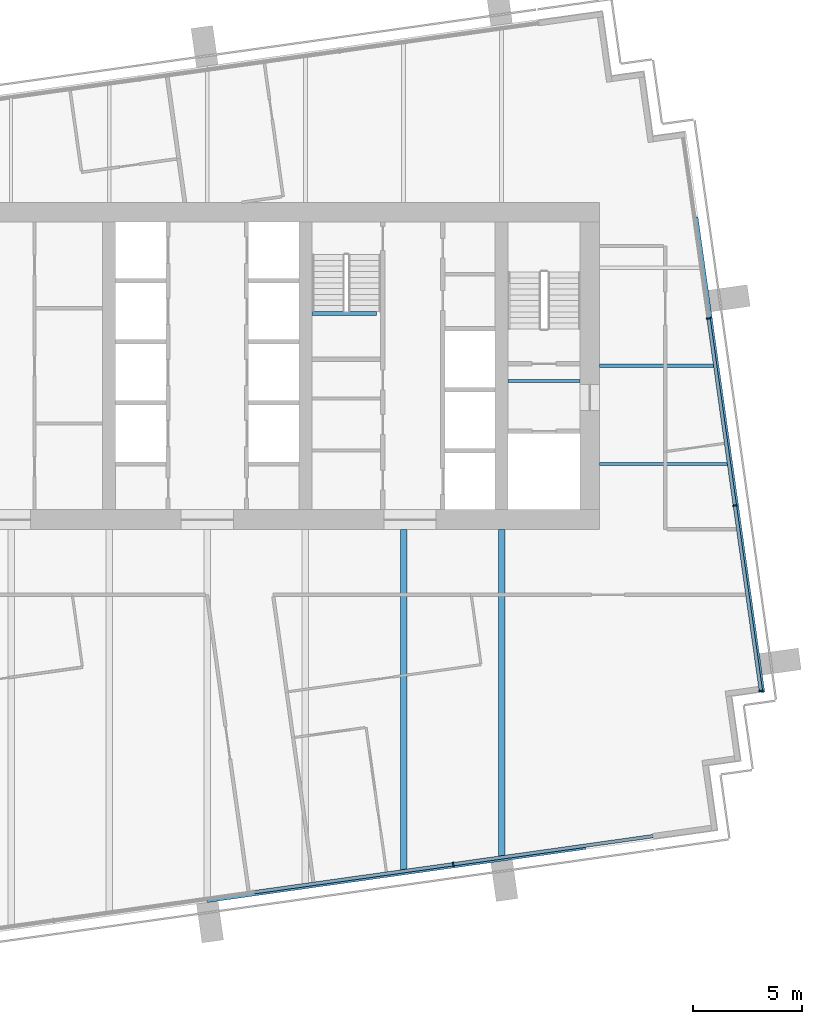
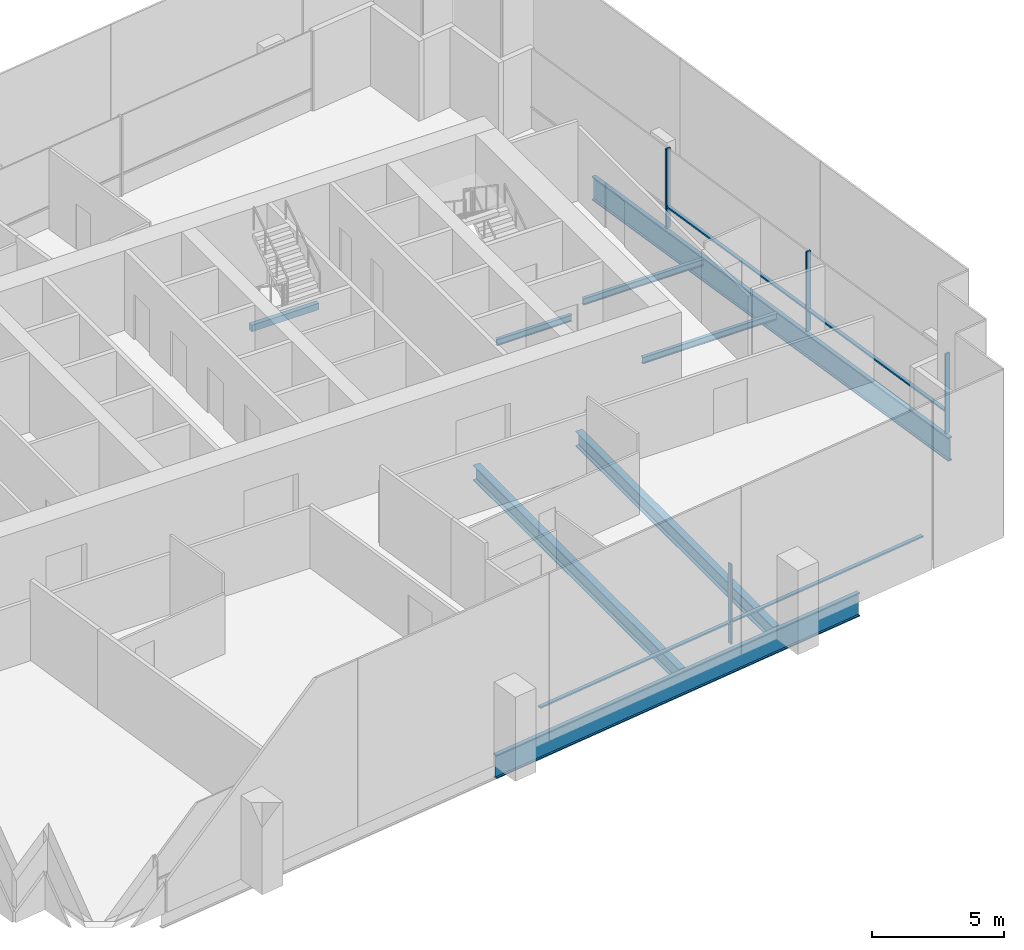
# One storey, part 4 of 15: 8 beams, 8 members, 2 elements without a shape of their own.
"""IFC4 building model written with IfcOpenShell, lengths in metres."""

from ifc_helpers import new_model, si_unit, direction, frame, origin, origin_2d, place, context, subcontext, project, spatial, rectangle, i_section, extrude, material, layer, layer_set, material_profile, profile_set, type_object, element, aggregate, save


model = new_model("IFC4")

# Units and contexts
model_context = context("Model", 3, precision=1e-05, world=origin(), true_north=direction((0.0, 1.0)))
body_context = subcontext(model_context, "Body", "Model", "MODEL_VIEW")
ifc_project = project(units=[si_unit("LENGTHUNIT", "METRE"), si_unit("AREAUNIT", "SQUARE_METRE"), si_unit("VOLUMEUNIT", "CUBIC_METRE"), si_unit("PLANEANGLEUNIT", "RADIAN"), si_unit("MASSUNIT", "GRAM", prefix="KILO")], contexts=[model_context])

# Site, building, storey
site_placement = place(None, origin())
site = spatial("IfcSite", under=ifc_project, at=site_placement, CompositionType="ELEMENT")
building_placement = place(site_placement, origin())
building = spatial("IfcBuilding", under=site, at=building_placement, Name="Rattan Terrace Tower", CompositionType="ELEMENT")
storey_placement = place(building_placement, frame((0.0, 0.0, 278.5)))
storey = spatial("IfcBuildingStorey", under=building, at=storey_placement, Name="L64", CompositionType="ELEMENT", Elevation=278.5)

# Beams
ifc_material_1 = material(Name="Concrete C40/50", Category="concrete")
ifc_material_profile_1 = material_profile(ifc_material_1, rectangle(XDim=0.199951171875, YDim=0.300048828125, at=origin_2d()), Name="RC 200x300")
ifc_profile_set_1 = profile_set([ifc_material_profile_1], Name="Concrete C40/50")
beam_type_1 = type_object("IfcBeamType", Name="Core landing beam RC 200x300", PredefinedType="BEAM", material=ifc_profile_set_1)
beam_1_placement = place(storey_placement, frame((4.800048828125, 2.39990234375, 1.60009765625), z_axis=(1.0, 0.0, 0.0), x_axis=(0.0, 1.0, 0.0)))
element("IfcBeam", 1, at=beam_1_placement, inside=storey, type_object=beam_type_1, Name="st-S3-L64 landing 1 edge beam", PredefinedType="BEAM", context=body_context, shape_type="SweptSolid", body=[
    extrude(rectangle(XDim=0.199951171875, YDim=0.300048828125, at=origin_2d()), origin(), (0.0, 0.0, 1.0), 2.949951171875),
])
ifc_material_2 = material(Name="Steel S460", Category="steel")
ifc_material_profile_2 = material_profile(ifc_material_2, i_section(OverallWidth=0.179931640625, OverallDepth=1.10009765625, WebThickness=0.01611328125, FlangeThickness=0.050048828125, at=origin_2d()), Name="PG 1100x180-16-50")
ifc_profile_set_2 = profile_set([ifc_material_profile_2], Name="Steel S460")
beam_type_2 = type_object("IfcBeamType", Name="Frame edge girder PG 1100x180-16-50", PredefinedType="SPANDREL", material=ifc_profile_set_2)
beam_2_placement = place(storey_placement, frame((17.347900390625, -22.087890625, -0.75), z_axis=(-0.990265878298, -0.139188685889, 0.0), x_axis=(0.139188685889, -0.990265878298, 0.0)))
element("IfcBeam", 2, at=beam_2_placement, inside=storey, type_object=beam_type_2, Name="gdr-L64-002", PredefinedType="SPANDREL", context=body_context, shape_type="SweptSolid", body=[
    extrude(i_section(OverallWidth=0.179931640625, OverallDepth=1.10009765625, WebThickness=0.01611328125, FlangeThickness=0.050048828125, at=origin_2d()), origin(), (0.0, 0.0, 1.0), 17.531494140625),
])
beam_3_placement = place(storey_placement, frame((22.4189453125, 6.822998046875, -0.75), z_axis=(0.139180574959, -0.990267018311, 0.0), x_axis=(0.990267018311, 0.139180574959, 0.0)))
element("IfcBeam", 3, at=beam_3_placement, inside=storey, type_object=beam_type_2, Name="gdr-L64-004", PredefinedType="SPANDREL", context=body_context, shape_type="SweptSolid", body=[
    extrude(i_section(OverallWidth=0.179931640625, OverallDepth=1.10009765625, WebThickness=0.01611328125, FlangeThickness=0.050048828125, at=origin_2d()), origin(), (0.0, 0.0, 1.0), 22.014404296875),
])
ifc_material_3 = material(Name="Steel S355", Category="steel")
ifc_material_profile_3 = material_profile(ifc_material_3, i_section(OverallWidth=0.300048828125, OverallDepth=0.699951171875, WebThickness=0.01708984375, FlangeThickness=0.031982421875, FilletRadius=0.027099609375, at=origin_2d()), Name="HE 700 B")
ifc_profile_set_3 = profile_set([ifc_material_profile_3], Name="Steel S355")
beam_type_3 = type_object("IfcBeamType", Name="Frame floor beam HE 700 B", PredefinedType="JOIST", material=ifc_profile_set_3)
beam_4_placement = place(storey_placement, frame((9.0, -23.14892578125, -0.550048828125), z_axis=(0.0, 1.0, 0.0), x_axis=(-1.0, 0.0, 0.0)))
element("IfcBeam", 4, at=beam_4_placement, inside=storey, type_object=beam_type_3, Name="bm-L64-008", PredefinedType="JOIST", context=body_context, shape_type="SweptSolid", body=[
    extrude(i_section(OverallWidth=0.300048828125, OverallDepth=0.699951171875, WebThickness=0.01708984375, FlangeThickness=0.031982421875, FilletRadius=0.027099609375, at=origin_2d()), origin(), (0.0, 0.0, 1.0), 15.64892578125),
])
beam_5_placement = place(storey_placement, frame((13.5, -22.51708984375, -0.550048828125), z_axis=(0.0, 1.0, 0.0), x_axis=(-1.0, 0.0, 0.0)))
element("IfcBeam", 5, at=beam_5_placement, inside=storey, type_object=beam_type_3, Name="bm-L64-009", PredefinedType="JOIST", context=body_context, shape_type="SweptSolid", body=[
    extrude(i_section(OverallWidth=0.300048828125, OverallDepth=0.699951171875, WebThickness=0.01708984375, FlangeThickness=0.031982421875, FilletRadius=0.027099609375, at=origin_2d()), origin(), (0.0, 0.0, 1.0), 15.01708984375),
])
ifc_material_4 = material(Name="Steel S355", Category="steel")
ifc_material_profile_4 = material_profile(ifc_material_4, i_section(OverallWidth=0.14990234375, OverallDepth=0.300048828125, WebThickness=0.007080078125, FlangeThickness=0.0107421875, FilletRadius=0.014892578125, at=origin_2d()), Name="IPE 300")
ifc_profile_set_4 = profile_set([ifc_material_profile_4], Name="Steel S355")
beam_type_4 = type_object("IfcBeamType", Name="Frame floor beam IPE 300", PredefinedType="JOIST", material=ifc_profile_set_4)
beam_6_placement = place(storey_placement, frame((13.800048828125, -0.695068359375, -0.35009765625), z_axis=(1.0, 0.0, 0.0), x_axis=(0.0, 1.0, 0.0)))
element("IfcBeam", 6, at=beam_6_placement, inside=storey, type_object=beam_type_4, Name="bm-L64-002", PredefinedType="JOIST", context=body_context, shape_type="SweptSolid", body=[
    extrude(i_section(OverallWidth=0.14990234375, OverallDepth=0.300048828125, WebThickness=0.007080078125, FlangeThickness=0.0107421875, FilletRadius=0.014892578125, at=origin_2d()), origin(), (0.0, 0.0, 1.0), 3.300048828125),
])
beam_7_placement = place(storey_placement, frame((18.0, -4.5, -0.35009765625), z_axis=(1.0, 0.0, 0.0), x_axis=(0.0, 1.0, 0.0)))
element("IfcBeam", 7, at=beam_7_placement, inside=storey, type_object=beam_type_4, Name="bm-L64-011", PredefinedType="JOIST", context=body_context, shape_type="SweptSolid", body=[
    extrude(i_section(OverallWidth=0.14990234375, OverallDepth=0.300048828125, WebThickness=0.007080078125, FlangeThickness=0.0107421875, FilletRadius=0.014892578125, at=origin_2d()), origin(), (0.0, 0.0, 1.0), 5.908935546875),
])
beam_8_placement = place(storey_placement, frame((18.0, 0.0, -0.35009765625), z_axis=(1.0, 0.0, 0.0), x_axis=(0.0, 1.0, 0.0)))
element("IfcBeam", 8, at=beam_8_placement, inside=storey, type_object=beam_type_4, Name="bm-L64-013", PredefinedType="JOIST", context=body_context, shape_type="SweptSolid", body=[
    extrude(i_section(OverallWidth=0.14990234375, OverallDepth=0.300048828125, WebThickness=0.007080078125, FlangeThickness=0.0107421875, FilletRadius=0.014892578125, at=origin_2d()), origin(), (0.0, 0.0, 1.0), 5.277099609375),
])

# Curtain wall, members
ifc_material_5 = material(Name="Aluminium and laminated glass", Category="aluminium")
ifc_layer = layer(ifc_material_5, 0.199951171875)
ifc_layer_set = layer_set([ifc_layer], Name="High-Zone Unitised Curtain Wall")
curtain_wall_type = type_object("IfcCurtainWallType", Name="High-Zone Unitised Curtain Wall", PredefinedType="NOTDEFINED", material=ifc_layer_set)
curtain_wall_1_placement = place(storey_placement, origin())
curtain_wall_1 = element("IfcCurtainWall", 9, at=curtain_wall_1_placement, inside=storey, type_object=curtain_wall_type, Name="High-zone curtain wall L64-1", PredefinedType="NOTDEFINED")
ifc_material_6 = material(Name="Aluminium", Category="aluminium")
ifc_material_profile_5 = material_profile(ifc_material_6, rectangle(XDim=0.070068359375, YDim=0.199951171875, at=origin_2d()), Name="Aluminium 70x200")
ifc_profile_set_5 = profile_set([ifc_material_profile_5], Name="Aluminium")
member_type_1 = type_object("IfcMemberType", Name="High-Zone CW Mullion 70x200", PredefinedType="MULLION", material=ifc_profile_set_5)
member_1_placement = place(storey_placement, frame((25.3916015625, -14.908447265625, 0.0), z_axis=(0.0, 0.0, 1.0), x_axis=(-0.139191775431, 0.990265444036, 0.0)))
member_1 = element("IfcMember", 10, at=member_1_placement, type_object=member_type_1, Name="Mullion cwl-L64-001.1", PredefinedType="MULLION", context=body_context, shape_type="SweptSolid", body=[
    extrude(rectangle(XDim=0.070068359375, YDim=0.199951171875, at=origin_2d()), origin(), (0.0, 0.0, 1.0), 3.699951171875),
])
member_2_placement = place(storey_placement, frame((24.1962890625, -6.405029296875, 0.0), z_axis=(0.0, 0.0, 1.0), x_axis=(-0.139191775431, 0.990265444036, 0.0)))
member_2 = element("IfcMember", 11, at=member_2_placement, type_object=member_type_1, Name="Mullion cwl-L64-001.2", PredefinedType="MULLION", context=body_context, shape_type="SweptSolid", body=[
    extrude(rectangle(XDim=0.070068359375, YDim=0.199951171875, at=origin_2d()), origin(), (0.0, 0.0, 1.0), 3.699951171875),
])
member_3_placement = place(storey_placement, frame((22.989990234375, 2.177490234375, 0.0), z_axis=(0.0, 0.0, 1.0), x_axis=(-0.139191775431, 0.990265444036, 0.0)))
member_3 = element("IfcMember", 12, at=member_3_placement, type_object=member_type_1, Name="Mullion cwl-L64-001.3", PredefinedType="MULLION", context=body_context, shape_type="SweptSolid", body=[
    extrude(rectangle(XDim=0.070068359375, YDim=0.199951171875, at=origin_2d()), origin(), (0.0, 0.0, 1.0), 3.699951171875),
])

# Curtain wall, member
curtain_wall_2_placement = place(storey_placement, origin())
curtain_wall_2 = element("IfcCurtainWall", 13, at=curtain_wall_2_placement, inside=storey, type_object=curtain_wall_type, Name="High-zone curtain wall L64-4", PredefinedType="NOTDEFINED")
member_4_placement = place(storey_placement, frame((11.27734375, -22.859619140625, 0.0), z_axis=(0.0, 0.0, 1.0), x_axis=(0.990265894013, 0.139188574079, 0.0)))
member_4 = element("IfcMember", 14, at=member_4_placement, type_object=member_type_1, Name="Mullion cwl-L64-004.4", PredefinedType="MULLION", context=body_context, shape_type="SweptSolid", body=[
    extrude(rectangle(XDim=0.070068359375, YDim=0.199951171875, at=origin_2d()), origin(), (0.0, 0.0, 1.0), 3.699951171875),
])

# Member
ifc_material_7 = material(Name="Aluminium", Category="aluminium")
ifc_material_profile_6 = material_profile(ifc_material_7, rectangle(XDim=0.159912109375, YDim=0.070068359375, at=origin_2d()), Name="Aluminium 160x70")
ifc_profile_set_6 = profile_set([ifc_material_profile_6], Name="Aluminium")
member_type_2 = type_object("IfcMemberType", Name="High-Zone CW Transom 160x70", PredefinedType="USERDEFINED", material=ifc_profile_set_6)
member_5_placement = place(storey_placement, frame((25.38671875, -14.873779296875, 1.0), z_axis=(-0.139197734293, 0.99026460644, 0.0), x_axis=(-0.99026460644, -0.139197734293, 0.0)))
member_5 = element("IfcMember", 15, at=member_5_placement, type_object=member_type_2, Name="Transom cwl-L64-001.1", ObjectType="TRANSOM", PredefinedType="USERDEFINED", context=body_context, shape_type="SweptSolid", body=[
    extrude(rectangle(XDim=0.159912109375, YDim=0.070068359375, at=origin_2d()), origin(), (0.0, 0.0, 1.0), 8.51708984375),
])

member_6_placement = place(storey_placement, frame((24.19140625, -6.370361328125, 1.0), z_axis=(-0.139182599995, 0.990266733693, 0.0), x_axis=(-0.990266733693, -0.139182599995, 0.0)))
member_6 = element("IfcMember", 16, at=member_6_placement, type_object=member_type_2, Name="Transom cwl-L64-001.2", ObjectType="TRANSOM", PredefinedType="USERDEFINED", context=body_context, shape_type="SweptSolid", body=[
    extrude(rectangle(XDim=0.159912109375, YDim=0.070068359375, at=origin_2d()), origin(), (0.0, 0.0, 1.0), 8.596923828125),
])

aggregate(curtain_wall_1, [member_1, member_2, member_3, member_5, member_6])

member_7_placement = place(storey_placement, frame((2.15283203125, -24.14208984375, 1.0), z_axis=(0.990266662415, 0.139183107123, 0.0), x_axis=(-0.139183107123, 0.990266662415, 0.0)))
member_7 = element("IfcMember", 17, at=member_7_placement, type_object=member_type_2, Name="Transom cwl-L64-004.3", ObjectType="TRANSOM", PredefinedType="USERDEFINED", context=body_context, shape_type="SweptSolid", body=[
    extrude(rectangle(XDim=0.159912109375, YDim=0.070068359375, at=origin_2d()), origin(), (0.0, 0.0, 1.0), 9.17919921875),
])

member_8_placement = place(storey_placement, frame((11.31201171875, -22.854736328125, 1.0), z_axis=(0.990263767768, 0.139203700545, 0.0), x_axis=(-0.139203700545, 0.990263767768, 0.0)))
member_8 = element("IfcMember", 18, at=member_8_placement, type_object=member_type_2, Name="Transom cwl-L64-004.4", ObjectType="TRANSOM", PredefinedType="USERDEFINED", context=body_context, shape_type="SweptSolid", body=[
    extrude(rectangle(XDim=0.159912109375, YDim=0.070068359375, at=origin_2d()), origin(), (0.0, 0.0, 1.0), 9.21826171875),
])

aggregate(curtain_wall_2, [member_4, member_7, member_8])

save(model, "model.ifc")
